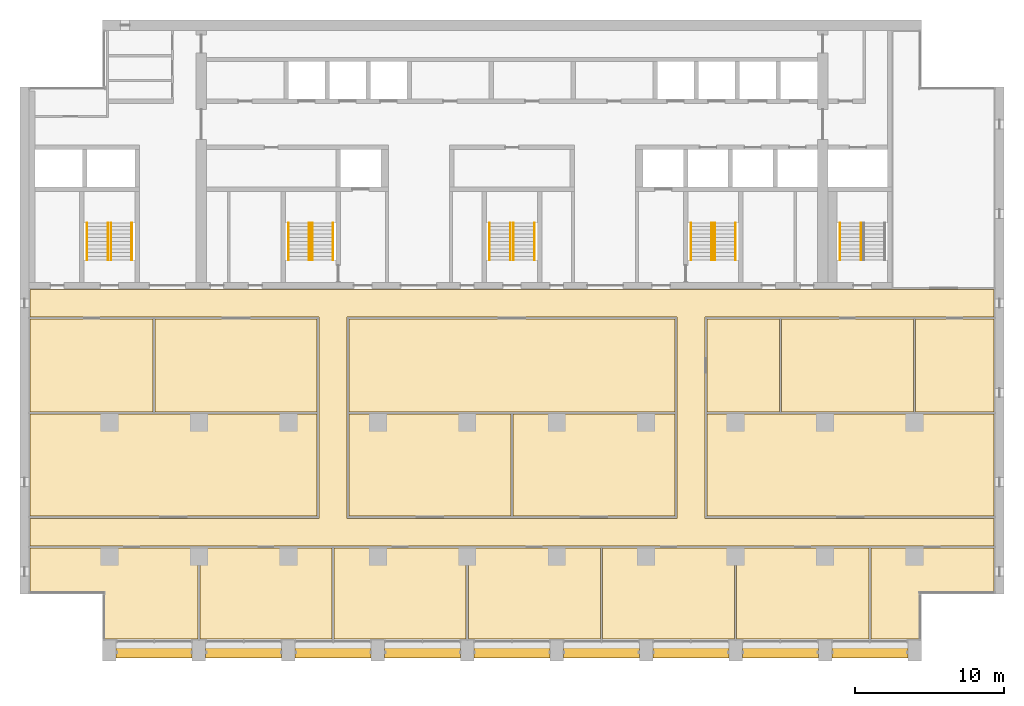
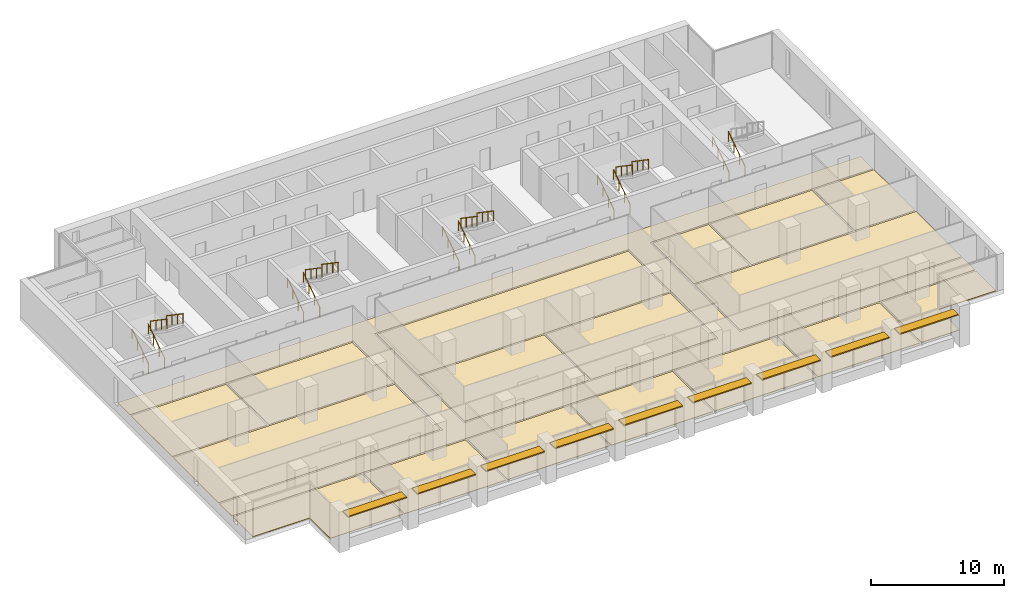
# One storey, part 16 of 17: 18 coverings, 18 railings, 9 shading devices, 5 elements without a shape of their own.
"""IFC4 building model written with IfcOpenShell, lengths in metres."""

from ifc_helpers import new_model, si_unit, direction, frame, origin, origin_2d, place, context, subcontext, project, spatial, polyline, rectangle, circle, outline, extrude, material, layer, layer_set, material_profile, profile_set, type_object, element, aggregate, save


model = new_model("IFC4")

# Units and contexts
model_context = context("Model", 3, precision=1e-05, world=origin(), true_north=direction((0.0, 1.0)))
body_context = subcontext(model_context, "Body", "Model", "MODEL_VIEW")
ifc_project = project(units=[si_unit("LENGTHUNIT", "METRE"), si_unit("AREAUNIT", "SQUARE_METRE"), si_unit("VOLUMEUNIT", "CUBIC_METRE"), si_unit("PLANEANGLEUNIT", "RADIAN"), si_unit("MASSUNIT", "GRAM", prefix="KILO")], contexts=[model_context])

# Site, building, storey
site_placement = place(None, origin())
site = spatial("IfcSite", under=ifc_project, at=site_placement, CompositionType="ELEMENT")
building_placement = place(site_placement, origin())
building = spatial("IfcBuilding", under=site, at=building_placement, Name="Calvaro Tower", CompositionType="ELEMENT")
storey_placement = place(building_placement, frame((0.0, 0.0, 170.5)))
storey = spatial("IfcBuildingStorey", under=building, at=storey_placement, Name="L42", CompositionType="ELEMENT", Elevation=170.5)

# Shading devices
ifc_material_1 = material(Name="Anodised aluminium", Category="aluminium")
ifc_material_profile = material_profile(ifc_material_1, rectangle(XDim=0.800048828125, YDim=0.10009765625, at=origin_2d()), Name="Brise-soleil blade 800 x 100")
ifc_profile_set = profile_set([ifc_material_profile], Name="Anodised aluminium")
shading_device_type = type_object("IfcShadingDeviceType", Name="Brise-soleil blade 800 x 100", PredefinedType="JALOUSIE", material=ifc_profile_set)
for number, where, z_axis, x_axis, name in (
    (1, (12.449951171875, 3.60009765625, 2.5), (1.0, 0.0, 0.0), (0.0, 1.0, 0.0), "Brise-soleil blade 1"),
    (2, (18.449951171875, 3.60009765625, 2.5), (1.0, 0.0, 0.0), (0.0, 1.0, 0.0), "Brise-soleil blade 2"),
    (3, (24.449951171875, 3.60009765625, 2.5), (1.0, 0.0, 0.0), (0.0, 1.0, 0.0), "Brise-soleil blade 3"),
    (4, (30.449951171875, 3.60009765625, 2.5), (1.0, 0.0, 0.0), (0.0, 1.0, 0.0), "Brise-soleil blade 4"),
    (5, (36.449951171875, 3.60009765625, 2.5), (1.0, 0.0, 0.0), (0.0, 1.0, 0.0), "Brise-soleil blade 5"),
    (6, (42.449951171875, 3.60009765625, 2.5), (1.0, 0.0, 0.0), (0.0, 1.0, 0.0), "Brise-soleil blade 6"),
    (7, (48.449951171875, 3.60009765625, 2.5), (1.0, 0.0, 0.0), (0.0, 1.0, 0.0), "Brise-soleil blade 7"),
    (8, (54.449951171875, 3.60009765625, 2.5), (1.0, 0.0, 0.0), (0.0, 1.0, 0.0), "Brise-soleil blade 8"),
    (9, (60.449951171875, 3.60009765625, 2.5), (1.0, 0.0, 0.0), (0.0, 1.0, 0.0), "Brise-soleil blade 9"),
):
    element("IfcShadingDevice", number, at=place(storey_placement, frame(where, z_axis=z_axis, x_axis=x_axis)), inside=storey, type_object=shading_device_type, Name=name, PredefinedType="JALOUSIE", context=body_context, shape_type="SweptSolid", body=[
        extrude(rectangle(XDim=0.800048828125, YDim=0.10009765625, at=origin_2d()), origin(), (0.0, 0.0, 1.0), 5.10009765625),
    ])

# Coverings
ifc_material_2 = material(Name="Cement screed with carpet tile finish")
ifc_layer = layer(ifc_material_2, 0.050048828125)
ifc_layer_set = layer_set([ifc_layer], Name="Cement screed with carpet tile finish")
covering_type = type_object("IfcCoveringType", Name="Floor finish 50", PredefinedType="FLOORING", material=ifc_layer_set)
covering_1_placement = place(storey_placement, origin())
element("IfcCovering", 10, at=covering_1_placement, inside=storey, type_object=covering_type, Name="Floor finish 25.01", PredefinedType="FLOORING", context=body_context, shape_type="SweptSolid", body=[
    extrude(outline(polyline([(6.669921875, 10.719970703125), (6.669921875, 12.580078125), (26.070068359375, 12.580078125), (26.070068359375, 26.070068359375), (6.669921875, 26.070068359375), (6.669921875, 27.929931640625), (71.330078125, 27.929931640625), (71.330078125, 26.070068359375), (51.929931640625, 26.070068359375), (51.929931640625, 12.580078125), (71.330078125, 12.580078125), (71.330078125, 10.719970703125), (6.669921875, 10.719970703125)]), holes=[polyline([(50.070068359375, 12.580078125), (50.070068359375, 26.070068359375), (27.929931640625, 26.070068359375), (27.929931640625, 12.580078125), (50.070068359375, 12.580078125)])]), origin(), (0.0, 0.0, 1.0), 0.050048828125),
])
covering_2_placement = place(storey_placement, origin())
element("IfcCovering", 11, at=covering_2_placement, inside=storey, type_object=covering_type, Name="Floor finish 25.07", PredefinedType="FLOORING", context=body_context, shape_type="SweptSolid", body=[
    extrude(outline(polyline([(17.929931640625, 10.580078125), (17.929931640625, 4.469970703125), (11.6201171875, 4.469970703125), (11.6201171875, 7.570068359375), (6.669921875, 7.570068359375), (6.669921875, 10.580078125), (17.929931640625, 10.580078125)])), origin(), (0.0, 0.0, 1.0), 0.050048828125),
])
covering_3_placement = place(storey_placement, origin())
element("IfcCovering", 12, at=covering_3_placement, inside=storey, type_object=covering_type, Name="Floor finish 25.02", PredefinedType="FLOORING", context=body_context, shape_type="SweptSolid", body=[
    extrude(outline(polyline([(18.070068359375, 10.580078125), (26.929931640625, 10.580078125), (26.929931640625, 4.469970703125), (18.070068359375, 4.469970703125), (18.070068359375, 10.580078125)])), origin(), (0.0, 0.0, 1.0), 0.050048828125),
])
covering_4_placement = place(storey_placement, origin())
element("IfcCovering", 13, at=covering_4_placement, inside=storey, type_object=covering_type, Name="Floor finish 25.03", PredefinedType="FLOORING", context=body_context, shape_type="SweptSolid", body=[
    extrude(outline(polyline([(27.070068359375, 10.580078125), (35.929931640625, 10.580078125), (35.929931640625, 4.469970703125), (27.070068359375, 4.469970703125), (27.070068359375, 10.580078125)])), origin(), (0.0, 0.0, 1.0), 0.050048828125),
])
covering_5_placement = place(storey_placement, origin())
element("IfcCovering", 14, at=covering_5_placement, inside=storey, type_object=covering_type, Name="Floor finish 25.04", PredefinedType="FLOORING", context=body_context, shape_type="SweptSolid", body=[
    extrude(outline(polyline([(36.070068359375, 10.580078125), (44.929931640625, 10.580078125), (44.929931640625, 4.469970703125), (36.070068359375, 4.469970703125), (36.070068359375, 10.580078125)])), origin(), (0.0, 0.0, 1.0), 0.050048828125),
])
covering_6_placement = place(storey_placement, origin())
element("IfcCovering", 15, at=covering_6_placement, inside=storey, type_object=covering_type, Name="Floor finish 25.05", PredefinedType="FLOORING", context=body_context, shape_type="SweptSolid", body=[
    extrude(outline(polyline([(45.070068359375, 10.580078125), (53.929931640625, 10.580078125), (53.929931640625, 4.469970703125), (45.070068359375, 4.469970703125), (45.070068359375, 10.580078125)])), origin(), (0.0, 0.0, 1.0), 0.050048828125),
])
covering_7_placement = place(storey_placement, origin())
element("IfcCovering", 16, at=covering_7_placement, inside=storey, type_object=covering_type, Name="Floor finish 25.06", PredefinedType="FLOORING", context=body_context, shape_type="SweptSolid", body=[
    extrude(outline(polyline([(54.070068359375, 10.580078125), (62.929931640625, 10.580078125), (62.929931640625, 4.469970703125), (54.070068359375, 4.469970703125), (54.070068359375, 10.580078125)])), origin(), (0.0, 0.0, 1.0), 0.050048828125),
])
covering_8_placement = place(storey_placement, origin())
element("IfcCovering", 17, at=covering_8_placement, inside=storey, type_object=covering_type, Name="Floor finish 25.08", PredefinedType="FLOORING", context=body_context, shape_type="SweptSolid", body=[
    extrude(outline(polyline([(71.330078125, 7.570068359375), (66.3798828125, 7.570068359375), (66.3798828125, 4.469970703125), (63.070068359375, 4.469970703125), (63.070068359375, 10.580078125), (71.330078125, 10.580078125), (71.330078125, 7.570068359375)])), origin(), (0.0, 0.0, 1.0), 0.050048828125),
])
covering_9_placement = place(storey_placement, origin())
element("IfcCovering", 18, at=covering_9_placement, inside=storey, type_object=covering_type, Name="Floor finish 25.09", PredefinedType="FLOORING", context=body_context, shape_type="SweptSolid", body=[
    extrude(outline(polyline([(25.929931640625, 19.580078125), (25.929931640625, 12.719970703125), (6.669921875, 12.719970703125), (6.669921875, 19.580078125), (25.929931640625, 19.580078125)])), origin(), (0.0, 0.0, 1.0), 0.050048828125),
])
covering_10_placement = place(storey_placement, origin())
element("IfcCovering", 19, at=covering_10_placement, inside=storey, type_object=covering_type, Name="Floor finish 25.13", PredefinedType="FLOORING", context=body_context, shape_type="SweptSolid", body=[
    extrude(outline(polyline([(14.929931640625, 25.929931640625), (14.929931640625, 19.719970703125), (6.669921875, 19.719970703125), (6.669921875, 25.929931640625), (14.929931640625, 25.929931640625)])), origin(), (0.0, 0.0, 1.0), 0.050048828125),
])
covering_11_placement = place(storey_placement, origin())
element("IfcCovering", 20, at=covering_11_placement, inside=storey, type_object=covering_type, Name="Floor finish 25.14", PredefinedType="FLOORING", context=body_context, shape_type="SweptSolid", body=[
    extrude(outline(polyline([(15.070068359375, 19.719970703125), (15.070068359375, 25.929931640625), (25.929931640625, 25.929931640625), (25.929931640625, 19.719970703125), (15.070068359375, 19.719970703125)])), origin(), (0.0, 0.0, 1.0), 0.050048828125),
])
covering_12_placement = place(storey_placement, origin())
element("IfcCovering", 21, at=covering_12_placement, inside=storey, type_object=covering_type, Name="Floor finish 25.10", PredefinedType="FLOORING", context=body_context, shape_type="SweptSolid", body=[
    extrude(outline(polyline([(28.070068359375, 12.719970703125), (28.070068359375, 19.580078125), (38.929931640625, 19.580078125), (38.929931640625, 12.719970703125), (28.070068359375, 12.719970703125)])), origin(), (0.0, 0.0, 1.0), 0.050048828125),
])
covering_13_placement = place(storey_placement, origin())
element("IfcCovering", 22, at=covering_13_placement, inside=storey, type_object=covering_type, Name="Floor finish 25.11", PredefinedType="FLOORING", context=body_context, shape_type="SweptSolid", body=[
    extrude(outline(polyline([(39.070068359375, 12.719970703125), (39.070068359375, 19.580078125), (49.929931640625, 19.580078125), (49.929931640625, 12.719970703125), (39.070068359375, 12.719970703125)])), origin(), (0.0, 0.0, 1.0), 0.050048828125),
])
covering_14_placement = place(storey_placement, origin())
element("IfcCovering", 23, at=covering_14_placement, inside=storey, type_object=covering_type, Name="Floor finish 25.15", PredefinedType="FLOORING", context=body_context, shape_type="SweptSolid", body=[
    extrude(outline(polyline([(28.070068359375, 19.719970703125), (28.070068359375, 25.929931640625), (49.929931640625, 25.929931640625), (49.929931640625, 19.719970703125), (28.070068359375, 19.719970703125)])), origin(), (0.0, 0.0, 1.0), 0.050048828125),
])
covering_15_placement = place(storey_placement, origin())
element("IfcCovering", 24, at=covering_15_placement, inside=storey, type_object=covering_type, Name="Floor finish 25.12", PredefinedType="FLOORING", context=body_context, shape_type="SweptSolid", body=[
    extrude(outline(polyline([(71.330078125, 12.719970703125), (52.070068359375, 12.719970703125), (52.070068359375, 19.580078125), (71.330078125, 19.580078125), (71.330078125, 12.719970703125)])), origin(), (0.0, 0.0, 1.0), 0.050048828125),
])
covering_16_placement = place(storey_placement, origin())
element("IfcCovering", 25, at=covering_16_placement, inside=storey, type_object=covering_type, Name="Floor finish 25.16", PredefinedType="FLOORING", context=body_context, shape_type="SweptSolid", body=[
    extrude(outline(polyline([(52.070068359375, 19.719970703125), (52.070068359375, 25.929931640625), (56.929931640625, 25.929931640625), (56.929931640625, 19.719970703125), (52.070068359375, 19.719970703125)])), origin(), (0.0, 0.0, 1.0), 0.050048828125),
])
covering_17_placement = place(storey_placement, origin())
element("IfcCovering", 26, at=covering_17_placement, inside=storey, type_object=covering_type, Name="Floor finish 25.17", PredefinedType="FLOORING", context=body_context, shape_type="SweptSolid", body=[
    extrude(outline(polyline([(57.070068359375, 19.719970703125), (57.070068359375, 25.929931640625), (65.929931640625, 25.929931640625), (65.929931640625, 19.719970703125), (57.070068359375, 19.719970703125)])), origin(), (0.0, 0.0, 1.0), 0.050048828125),
])
covering_18_placement = place(storey_placement, origin())
element("IfcCovering", 27, at=covering_18_placement, inside=storey, type_object=covering_type, Name="Floor finish 25.18", PredefinedType="FLOORING", context=body_context, shape_type="SweptSolid", body=[
    extrude(outline(polyline([(71.330078125, 19.719970703125), (66.070068359375, 19.719970703125), (66.070068359375, 25.929931640625), (71.330078125, 25.929931640625), (71.330078125, 19.719970703125)])), origin(), (0.0, 0.0, 1.0), 0.050048828125),
])

# Stair, railings
ifc_material_3 = material(Name="Concrete C40/50", Category="concrete")
stair_type = type_object("IfcStairType", Name="Exit stair 1400 2 flights", PredefinedType="HALF_TURN_STAIR", material=ifc_material_3)
stair_1_placement = place(storey_placement, origin())
stair_1 = element("IfcStair", 28, at=stair_1_placement, inside=storey, type_object=stair_type, Name="Exit stair S1", PredefinedType="HALF_TURN_STAIR")
ifc_material_4 = material(Name="Stainless steel", Category="steel")
railing_type = type_object("IfcRailingType", Name="Stair handrail", PredefinedType="HANDRAIL", material=ifc_material_4)
railing_1_placement = place(storey_placement, frame((11.89990234375, 29.89990234375, 0.17041015625)))
railing_1 = element("IfcRailing", 29, at=railing_1_placement, type_object=railing_type, Name="Exit stair 1 handrail", PredefinedType="HANDRAIL", context=body_context, shape_type="SweptSolid", body=[
    extrude(circle(Radius=0.02392578125, at=origin_2d()), frame((0.0, 0.0, 0.8759765625), z_axis=(0.0, 0.826220514629, 0.563346839174), x_axis=(-1.0, 0.0, 0.0)), (0.0, 0.0, 1.0), 3.02587890625),
    extrude(circle(Radius=0.02099609375, at=origin_2d()), frame((0.0, 0.017333984375, 0.01171875)), (0.0, 0.0, 1.0), 0.851806640625),
    extrude(circle(Radius=0.02099609375, at=origin_2d()), frame((0.0, 0.833251953125, 0.568115234375)), (0.0, 0.0, 1.0), 0.851806640625),
    extrude(circle(Radius=0.02099609375, at=origin_2d()), frame((0.0, 1.666748046875, 1.136474609375)), (0.0, 0.0, 1.0), 0.851806640625),
    extrude(circle(Radius=0.02099609375, at=origin_2d()), frame((0.0, 2.482666015625, 1.69287109375)), (0.0, 0.0, 1.0), 0.851806640625),
])
railing_2_placement = place(storey_placement, frame((10.5, 29.89990234375, 0.17041015625)))
railing_2 = element("IfcRailing", 30, at=railing_2_placement, type_object=railing_type, Name="Exit stair 1 handrail", PredefinedType="HANDRAIL", context=body_context, shape_type="SweptSolid", body=[
    extrude(circle(Radius=0.02392578125, at=origin_2d()), frame((0.0, 0.0, 0.8759765625), z_axis=(0.0, 0.826220514629, 0.563346839174), x_axis=(-1.0, 0.0, 0.0)), (0.0, 0.0, 1.0), 3.02587890625),
    extrude(circle(Radius=0.02099609375, at=origin_2d()), frame((0.0, 0.017333984375, 0.01171875)), (0.0, 0.0, 1.0), 0.851806640625),
    extrude(circle(Radius=0.02099609375, at=origin_2d()), frame((0.0, 0.833251953125, 0.568115234375)), (0.0, 0.0, 1.0), 0.851806640625),
    extrude(circle(Radius=0.02099609375, at=origin_2d()), frame((0.0, 1.666748046875, 1.136474609375)), (0.0, 0.0, 1.0), 0.851806640625),
    extrude(circle(Radius=0.02099609375, at=origin_2d()), frame((0.0, 2.482666015625, 1.69287109375)), (0.0, 0.0, 1.0), 0.851806640625),
])
railing_3_placement = place(storey_placement, frame((12.10009765625, 32.39990234375, 2.04541015625)))
railing_3 = element("IfcRailing", 31, at=railing_3_placement, type_object=railing_type, Name="Exit stair 1 handrail", PredefinedType="HANDRAIL", context=body_context, shape_type="SweptSolid", body=[
    extrude(circle(Radius=0.02392578125, at=origin_2d()), frame((0.0, 0.0, 0.8759765625), z_axis=(0.0, -0.826220514629, 0.563346839174), x_axis=(1.0, 0.0, 0.0)), (0.0, 0.0, 1.0), 3.02587890625),
    extrude(circle(Radius=0.02099609375, at=origin_2d()), frame((0.0, -0.017333984375, 0.01171875)), (0.0, 0.0, 1.0), 0.851806640625),
    extrude(circle(Radius=0.02099609375, at=origin_2d()), frame((0.0, -0.833251953125, 0.568115234375)), (0.0, 0.0, 1.0), 0.851806640625),
    extrude(circle(Radius=0.02099609375, at=origin_2d()), frame((0.0, -1.666748046875, 1.136474609375)), (0.0, 0.0, 1.0), 0.851806640625),
    extrude(circle(Radius=0.02099609375, at=origin_2d()), frame((0.0, -2.482666015625, 1.69287109375)), (0.0, 0.0, 1.0), 0.851806640625),
])
railing_4_placement = place(storey_placement, frame((13.5, 32.39990234375, 2.04541015625)))
railing_4 = element("IfcRailing", 32, at=railing_4_placement, type_object=railing_type, Name="Exit stair 1 handrail", PredefinedType="HANDRAIL", context=body_context, shape_type="SweptSolid", body=[
    extrude(circle(Radius=0.02392578125, at=origin_2d()), frame((0.0, 0.0, 0.8759765625), z_axis=(0.0, -0.826220514629, 0.563346839174), x_axis=(1.0, 0.0, 0.0)), (0.0, 0.0, 1.0), 3.02587890625),
    extrude(circle(Radius=0.02099609375, at=origin_2d()), frame((0.0, -0.017333984375, 0.01171875)), (0.0, 0.0, 1.0), 0.851806640625),
    extrude(circle(Radius=0.02099609375, at=origin_2d()), frame((0.0, -0.833251953125, 0.568115234375)), (0.0, 0.0, 1.0), 0.851806640625),
    extrude(circle(Radius=0.02099609375, at=origin_2d()), frame((0.0, -1.666748046875, 1.136474609375)), (0.0, 0.0, 1.0), 0.851806640625),
    extrude(circle(Radius=0.02099609375, at=origin_2d()), frame((0.0, -2.482666015625, 1.69287109375)), (0.0, 0.0, 1.0), 0.851806640625),
])
aggregate(stair_1, [railing_1, railing_2, railing_3, railing_4])

stair_2_placement = place(storey_placement, origin())
stair_2 = element("IfcStair", 33, at=stair_2_placement, inside=storey, type_object=stair_type, Name="Exit stair S2", PredefinedType="HALF_TURN_STAIR")
railing_5_placement = place(storey_placement, frame((25.39990234375, 29.89990234375, 0.17041015625)))
railing_5 = element("IfcRailing", 34, at=railing_5_placement, type_object=railing_type, Name="Exit stair 2 handrail", PredefinedType="HANDRAIL", context=body_context, shape_type="SweptSolid", body=[
    extrude(circle(Radius=0.02392578125, at=origin_2d()), frame((0.0, 0.0, 0.8759765625), z_axis=(0.0, 0.826220514629, 0.563346839174), x_axis=(-1.0, 0.0, 0.0)), (0.0, 0.0, 1.0), 3.02587890625),
    extrude(circle(Radius=0.02099609375, at=origin_2d()), frame((0.0, 0.017333984375, 0.01171875)), (0.0, 0.0, 1.0), 0.851806640625),
    extrude(circle(Radius=0.02099609375, at=origin_2d()), frame((0.0, 0.833251953125, 0.568115234375)), (0.0, 0.0, 1.0), 0.851806640625),
    extrude(circle(Radius=0.02099609375, at=origin_2d()), frame((0.0, 1.666748046875, 1.136474609375)), (0.0, 0.0, 1.0), 0.851806640625),
    extrude(circle(Radius=0.02099609375, at=origin_2d()), frame((0.0, 2.482666015625, 1.69287109375)), (0.0, 0.0, 1.0), 0.851806640625),
])
railing_6_placement = place(storey_placement, frame((24.0, 29.89990234375, 0.17041015625)))
railing_6 = element("IfcRailing", 35, at=railing_6_placement, type_object=railing_type, Name="Exit stair 2 handrail", PredefinedType="HANDRAIL", context=body_context, shape_type="SweptSolid", body=[
    extrude(circle(Radius=0.02392578125, at=origin_2d()), frame((0.0, 0.0, 0.8759765625), z_axis=(0.0, 0.826220514629, 0.563346839174), x_axis=(-1.0, 0.0, 0.0)), (0.0, 0.0, 1.0), 3.02587890625),
    extrude(circle(Radius=0.02099609375, at=origin_2d()), frame((0.0, 0.017333984375, 0.01171875)), (0.0, 0.0, 1.0), 0.851806640625),
    extrude(circle(Radius=0.02099609375, at=origin_2d()), frame((0.0, 0.833251953125, 0.568115234375)), (0.0, 0.0, 1.0), 0.851806640625),
    extrude(circle(Radius=0.02099609375, at=origin_2d()), frame((0.0, 1.666748046875, 1.136474609375)), (0.0, 0.0, 1.0), 0.851806640625),
    extrude(circle(Radius=0.02099609375, at=origin_2d()), frame((0.0, 2.482666015625, 1.69287109375)), (0.0, 0.0, 1.0), 0.851806640625),
])
railing_7_placement = place(storey_placement, frame((25.60009765625, 32.39990234375, 2.04541015625)))
railing_7 = element("IfcRailing", 36, at=railing_7_placement, type_object=railing_type, Name="Exit stair 2 handrail", PredefinedType="HANDRAIL", context=body_context, shape_type="SweptSolid", body=[
    extrude(circle(Radius=0.02392578125, at=origin_2d()), frame((0.0, 0.0, 0.8759765625), z_axis=(0.0, -0.826220514629, 0.563346839174), x_axis=(1.0, 0.0, 0.0)), (0.0, 0.0, 1.0), 3.02587890625),
    extrude(circle(Radius=0.02099609375, at=origin_2d()), frame((0.0, -0.017333984375, 0.01171875)), (0.0, 0.0, 1.0), 0.851806640625),
    extrude(circle(Radius=0.02099609375, at=origin_2d()), frame((0.0, -0.833251953125, 0.568115234375)), (0.0, 0.0, 1.0), 0.851806640625),
    extrude(circle(Radius=0.02099609375, at=origin_2d()), frame((0.0, -1.666748046875, 1.136474609375)), (0.0, 0.0, 1.0), 0.851806640625),
    extrude(circle(Radius=0.02099609375, at=origin_2d()), frame((0.0, -2.482666015625, 1.69287109375)), (0.0, 0.0, 1.0), 0.851806640625),
])
railing_8_placement = place(storey_placement, frame((27.0, 32.39990234375, 2.04541015625)))
railing_8 = element("IfcRailing", 37, at=railing_8_placement, type_object=railing_type, Name="Exit stair 2 handrail", PredefinedType="HANDRAIL", context=body_context, shape_type="SweptSolid", body=[
    extrude(circle(Radius=0.02392578125, at=origin_2d()), frame((0.0, 0.0, 0.8759765625), z_axis=(0.0, -0.826220514629, 0.563346839174), x_axis=(1.0, 0.0, 0.0)), (0.0, 0.0, 1.0), 3.02587890625),
    extrude(circle(Radius=0.02099609375, at=origin_2d()), frame((0.0, -0.017333984375, 0.01171875)), (0.0, 0.0, 1.0), 0.851806640625),
    extrude(circle(Radius=0.02099609375, at=origin_2d()), frame((0.0, -0.833251953125, 0.568115234375)), (0.0, 0.0, 1.0), 0.851806640625),
    extrude(circle(Radius=0.02099609375, at=origin_2d()), frame((0.0, -1.666748046875, 1.136474609375)), (0.0, 0.0, 1.0), 0.851806640625),
    extrude(circle(Radius=0.02099609375, at=origin_2d()), frame((0.0, -2.482666015625, 1.69287109375)), (0.0, 0.0, 1.0), 0.851806640625),
])
aggregate(stair_2, [railing_5, railing_6, railing_7, railing_8])

stair_3_placement = place(storey_placement, origin())
stair_3 = element("IfcStair", 38, at=stair_3_placement, inside=storey, type_object=stair_type, Name="Exit stair S3", PredefinedType="HALF_TURN_STAIR")
railing_9_placement = place(storey_placement, frame((38.89990234375, 29.89990234375, 0.17041015625)))
railing_9 = element("IfcRailing", 39, at=railing_9_placement, type_object=railing_type, Name="Exit stair 3 handrail", PredefinedType="HANDRAIL", context=body_context, shape_type="SweptSolid", body=[
    extrude(circle(Radius=0.02392578125, at=origin_2d()), frame((0.0, 0.0, 0.8759765625), z_axis=(0.0, 0.826220514629, 0.563346839174), x_axis=(-1.0, 0.0, 0.0)), (0.0, 0.0, 1.0), 3.02587890625),
    extrude(circle(Radius=0.02099609375, at=origin_2d()), frame((0.0, 0.017333984375, 0.01171875)), (0.0, 0.0, 1.0), 0.851806640625),
    extrude(circle(Radius=0.02099609375, at=origin_2d()), frame((0.0, 0.833251953125, 0.568115234375)), (0.0, 0.0, 1.0), 0.851806640625),
    extrude(circle(Radius=0.02099609375, at=origin_2d()), frame((0.0, 1.666748046875, 1.136474609375)), (0.0, 0.0, 1.0), 0.851806640625),
    extrude(circle(Radius=0.02099609375, at=origin_2d()), frame((0.0, 2.482666015625, 1.69287109375)), (0.0, 0.0, 1.0), 0.851806640625),
])
railing_10_placement = place(storey_placement, frame((37.5, 29.89990234375, 0.17041015625)))
railing_10 = element("IfcRailing", 40, at=railing_10_placement, type_object=railing_type, Name="Exit stair 3 handrail", PredefinedType="HANDRAIL", context=body_context, shape_type="SweptSolid", body=[
    extrude(circle(Radius=0.02392578125, at=origin_2d()), frame((0.0, 0.0, 0.8759765625), z_axis=(0.0, 0.826220514629, 0.563346839174), x_axis=(-1.0, 0.0, 0.0)), (0.0, 0.0, 1.0), 3.02587890625),
    extrude(circle(Radius=0.02099609375, at=origin_2d()), frame((0.0, 0.017333984375, 0.01171875)), (0.0, 0.0, 1.0), 0.851806640625),
    extrude(circle(Radius=0.02099609375, at=origin_2d()), frame((0.0, 0.833251953125, 0.568115234375)), (0.0, 0.0, 1.0), 0.851806640625),
    extrude(circle(Radius=0.02099609375, at=origin_2d()), frame((0.0, 1.666748046875, 1.136474609375)), (0.0, 0.0, 1.0), 0.851806640625),
    extrude(circle(Radius=0.02099609375, at=origin_2d()), frame((0.0, 2.482666015625, 1.69287109375)), (0.0, 0.0, 1.0), 0.851806640625),
])
railing_11_placement = place(storey_placement, frame((39.10009765625, 32.39990234375, 2.04541015625)))
railing_11 = element("IfcRailing", 41, at=railing_11_placement, type_object=railing_type, Name="Exit stair 3 handrail", PredefinedType="HANDRAIL", context=body_context, shape_type="SweptSolid", body=[
    extrude(circle(Radius=0.02392578125, at=origin_2d()), frame((0.0, 0.0, 0.8759765625), z_axis=(0.0, -0.826220514629, 0.563346839174), x_axis=(1.0, 0.0, 0.0)), (0.0, 0.0, 1.0), 3.02587890625),
    extrude(circle(Radius=0.02099609375, at=origin_2d()), frame((0.0, -0.017333984375, 0.01171875)), (0.0, 0.0, 1.0), 0.851806640625),
    extrude(circle(Radius=0.02099609375, at=origin_2d()), frame((0.0, -0.833251953125, 0.568115234375)), (0.0, 0.0, 1.0), 0.851806640625),
    extrude(circle(Radius=0.02099609375, at=origin_2d()), frame((0.0, -1.666748046875, 1.136474609375)), (0.0, 0.0, 1.0), 0.851806640625),
    extrude(circle(Radius=0.02099609375, at=origin_2d()), frame((0.0, -2.482666015625, 1.69287109375)), (0.0, 0.0, 1.0), 0.851806640625),
])
railing_12_placement = place(storey_placement, frame((40.5, 32.39990234375, 2.04541015625)))
railing_12 = element("IfcRailing", 42, at=railing_12_placement, type_object=railing_type, Name="Exit stair 3 handrail", PredefinedType="HANDRAIL", context=body_context, shape_type="SweptSolid", body=[
    extrude(circle(Radius=0.02392578125, at=origin_2d()), frame((0.0, 0.0, 0.8759765625), z_axis=(0.0, -0.826220514629, 0.563346839174), x_axis=(1.0, 0.0, 0.0)), (0.0, 0.0, 1.0), 3.02587890625),
    extrude(circle(Radius=0.02099609375, at=origin_2d()), frame((0.0, -0.017333984375, 0.01171875)), (0.0, 0.0, 1.0), 0.851806640625),
    extrude(circle(Radius=0.02099609375, at=origin_2d()), frame((0.0, -0.833251953125, 0.568115234375)), (0.0, 0.0, 1.0), 0.851806640625),
    extrude(circle(Radius=0.02099609375, at=origin_2d()), frame((0.0, -1.666748046875, 1.136474609375)), (0.0, 0.0, 1.0), 0.851806640625),
    extrude(circle(Radius=0.02099609375, at=origin_2d()), frame((0.0, -2.482666015625, 1.69287109375)), (0.0, 0.0, 1.0), 0.851806640625),
])
aggregate(stair_3, [railing_9, railing_10, railing_11, railing_12])

stair_4_placement = place(storey_placement, origin())
stair_4 = element("IfcStair", 43, at=stair_4_placement, inside=storey, type_object=stair_type, Name="Exit stair S4", PredefinedType="HALF_TURN_STAIR")
railing_13_placement = place(storey_placement, frame((52.39990234375, 29.89990234375, 0.17041015625)))
railing_13 = element("IfcRailing", 44, at=railing_13_placement, type_object=railing_type, Name="Exit stair 4 handrail", PredefinedType="HANDRAIL", context=body_context, shape_type="SweptSolid", body=[
    extrude(circle(Radius=0.02392578125, at=origin_2d()), frame((0.0, 0.0, 0.8759765625), z_axis=(0.0, 0.826220514629, 0.563346839174), x_axis=(-1.0, 0.0, 0.0)), (0.0, 0.0, 1.0), 3.02587890625),
    extrude(circle(Radius=0.02099609375, at=origin_2d()), frame((0.0, 0.017333984375, 0.01171875)), (0.0, 0.0, 1.0), 0.851806640625),
    extrude(circle(Radius=0.02099609375, at=origin_2d()), frame((0.0, 0.833251953125, 0.568115234375)), (0.0, 0.0, 1.0), 0.851806640625),
    extrude(circle(Radius=0.02099609375, at=origin_2d()), frame((0.0, 1.666748046875, 1.136474609375)), (0.0, 0.0, 1.0), 0.851806640625),
    extrude(circle(Radius=0.02099609375, at=origin_2d()), frame((0.0, 2.482666015625, 1.69287109375)), (0.0, 0.0, 1.0), 0.851806640625),
])
railing_14_placement = place(storey_placement, frame((51.0, 29.89990234375, 0.17041015625)))
railing_14 = element("IfcRailing", 45, at=railing_14_placement, type_object=railing_type, Name="Exit stair 4 handrail", PredefinedType="HANDRAIL", context=body_context, shape_type="SweptSolid", body=[
    extrude(circle(Radius=0.02392578125, at=origin_2d()), frame((0.0, 0.0, 0.8759765625), z_axis=(0.0, 0.826220514629, 0.563346839174), x_axis=(-1.0, 0.0, 0.0)), (0.0, 0.0, 1.0), 3.02587890625),
    extrude(circle(Radius=0.02099609375, at=origin_2d()), frame((0.0, 0.017333984375, 0.01171875)), (0.0, 0.0, 1.0), 0.851806640625),
    extrude(circle(Radius=0.02099609375, at=origin_2d()), frame((0.0, 0.833251953125, 0.568115234375)), (0.0, 0.0, 1.0), 0.851806640625),
    extrude(circle(Radius=0.02099609375, at=origin_2d()), frame((0.0, 1.666748046875, 1.136474609375)), (0.0, 0.0, 1.0), 0.851806640625),
    extrude(circle(Radius=0.02099609375, at=origin_2d()), frame((0.0, 2.482666015625, 1.69287109375)), (0.0, 0.0, 1.0), 0.851806640625),
])
railing_15_placement = place(storey_placement, frame((52.60009765625, 32.39990234375, 2.04541015625)))
railing_15 = element("IfcRailing", 46, at=railing_15_placement, type_object=railing_type, Name="Exit stair 4 handrail", PredefinedType="HANDRAIL", context=body_context, shape_type="SweptSolid", body=[
    extrude(circle(Radius=0.02392578125, at=origin_2d()), frame((0.0, 0.0, 0.8759765625), z_axis=(0.0, -0.826220514629, 0.563346839174), x_axis=(1.0, 0.0, 0.0)), (0.0, 0.0, 1.0), 3.02587890625),
    extrude(circle(Radius=0.02099609375, at=origin_2d()), frame((0.0, -0.017333984375, 0.01171875)), (0.0, 0.0, 1.0), 0.851806640625),
    extrude(circle(Radius=0.02099609375, at=origin_2d()), frame((0.0, -0.833251953125, 0.568115234375)), (0.0, 0.0, 1.0), 0.851806640625),
    extrude(circle(Radius=0.02099609375, at=origin_2d()), frame((0.0, -1.666748046875, 1.136474609375)), (0.0, 0.0, 1.0), 0.851806640625),
    extrude(circle(Radius=0.02099609375, at=origin_2d()), frame((0.0, -2.482666015625, 1.69287109375)), (0.0, 0.0, 1.0), 0.851806640625),
])
railing_16_placement = place(storey_placement, frame((54.0, 32.39990234375, 2.04541015625)))
railing_16 = element("IfcRailing", 47, at=railing_16_placement, type_object=railing_type, Name="Exit stair 4 handrail", PredefinedType="HANDRAIL", context=body_context, shape_type="SweptSolid", body=[
    extrude(circle(Radius=0.02392578125, at=origin_2d()), frame((0.0, 0.0, 0.8759765625), z_axis=(0.0, -0.826220514629, 0.563346839174), x_axis=(1.0, 0.0, 0.0)), (0.0, 0.0, 1.0), 3.02587890625),
    extrude(circle(Radius=0.02099609375, at=origin_2d()), frame((0.0, -0.017333984375, 0.01171875)), (0.0, 0.0, 1.0), 0.851806640625),
    extrude(circle(Radius=0.02099609375, at=origin_2d()), frame((0.0, -0.833251953125, 0.568115234375)), (0.0, 0.0, 1.0), 0.851806640625),
    extrude(circle(Radius=0.02099609375, at=origin_2d()), frame((0.0, -1.666748046875, 1.136474609375)), (0.0, 0.0, 1.0), 0.851806640625),
    extrude(circle(Radius=0.02099609375, at=origin_2d()), frame((0.0, -2.482666015625, 1.69287109375)), (0.0, 0.0, 1.0), 0.851806640625),
])
aggregate(stair_4, [railing_13, railing_14, railing_15, railing_16])

stair_5_placement = place(storey_placement, origin())
stair_5 = element("IfcStair", 48, at=stair_5_placement, inside=storey, type_object=stair_type, Name="Exit stair S5", PredefinedType="HALF_TURN_STAIR")
railing_17_placement = place(storey_placement, frame((62.39990234375, 29.89990234375, 0.17041015625)))
railing_17 = element("IfcRailing", 49, at=railing_17_placement, type_object=railing_type, Name="Exit stair 5 handrail", PredefinedType="HANDRAIL", context=body_context, shape_type="SweptSolid", body=[
    extrude(circle(Radius=0.02392578125, at=origin_2d()), frame((0.0, 0.0, 0.8759765625), z_axis=(0.0, 0.826220514629, 0.563346839174), x_axis=(-1.0, 0.0, 0.0)), (0.0, 0.0, 1.0), 3.02587890625),
    extrude(circle(Radius=0.02099609375, at=origin_2d()), frame((0.0, 0.017333984375, 0.01171875)), (0.0, 0.0, 1.0), 0.851806640625),
    extrude(circle(Radius=0.02099609375, at=origin_2d()), frame((0.0, 0.833251953125, 0.568115234375)), (0.0, 0.0, 1.0), 0.851806640625),
    extrude(circle(Radius=0.02099609375, at=origin_2d()), frame((0.0, 1.666748046875, 1.136474609375)), (0.0, 0.0, 1.0), 0.851806640625),
    extrude(circle(Radius=0.02099609375, at=origin_2d()), frame((0.0, 2.482666015625, 1.69287109375)), (0.0, 0.0, 1.0), 0.851806640625),
])
railing_18_placement = place(storey_placement, frame((61.0, 29.89990234375, 0.17041015625)))
railing_18 = element("IfcRailing", 50, at=railing_18_placement, type_object=railing_type, Name="Exit stair 5 handrail", PredefinedType="HANDRAIL", context=body_context, shape_type="SweptSolid", body=[
    extrude(circle(Radius=0.02392578125, at=origin_2d()), frame((0.0, 0.0, 0.8759765625), z_axis=(0.0, 0.826220514629, 0.563346839174), x_axis=(-1.0, 0.0, 0.0)), (0.0, 0.0, 1.0), 3.02587890625),
    extrude(circle(Radius=0.02099609375, at=origin_2d()), frame((0.0, 0.017333984375, 0.01171875)), (0.0, 0.0, 1.0), 0.851806640625),
    extrude(circle(Radius=0.02099609375, at=origin_2d()), frame((0.0, 0.833251953125, 0.568115234375)), (0.0, 0.0, 1.0), 0.851806640625),
    extrude(circle(Radius=0.02099609375, at=origin_2d()), frame((0.0, 1.666748046875, 1.136474609375)), (0.0, 0.0, 1.0), 0.851806640625),
    extrude(circle(Radius=0.02099609375, at=origin_2d()), frame((0.0, 2.482666015625, 1.69287109375)), (0.0, 0.0, 1.0), 0.851806640625),
])
aggregate(stair_5, [railing_17, railing_18])

save(model, "model.ifc")
